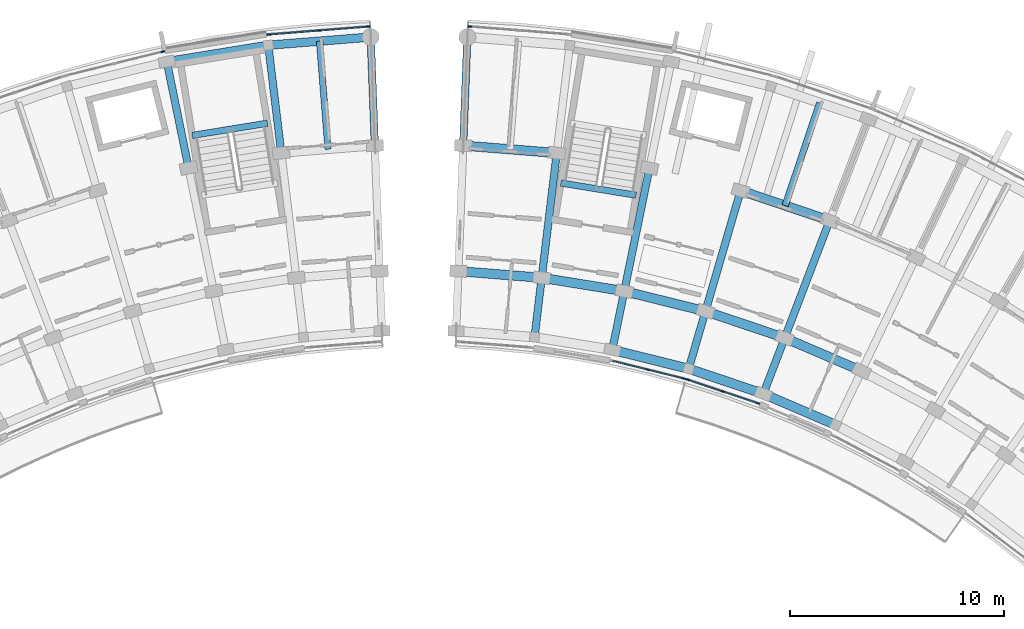
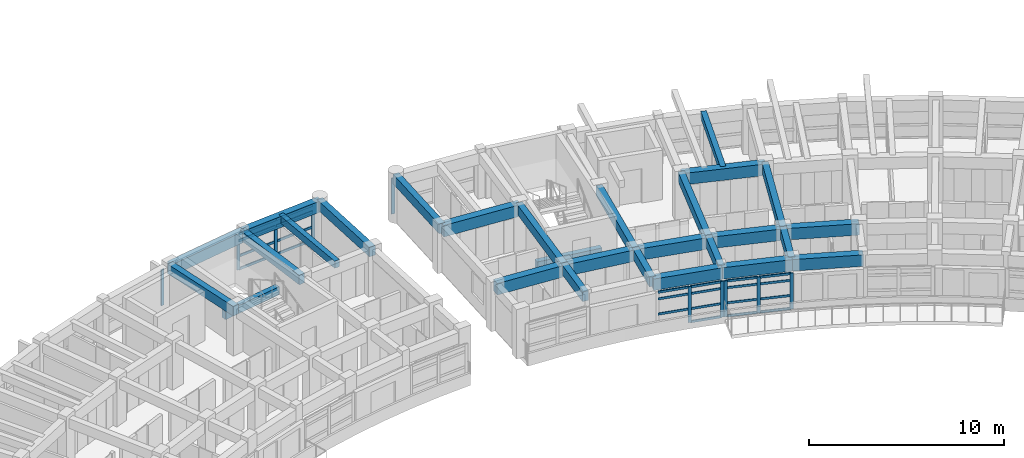
# One storey, part 7 of 56: 33 members, 28 beams, 5 elements without a shape of their own.
"""IFC4 building model written with IfcOpenShell, lengths in metres."""

from ifc_helpers import new_model, si_unit, direction, frame, origin, origin_2d, place, context, subcontext, project, spatial, rectangle, extrude, material, material_profile, profile_set, type_object, element, aggregate, save


model = new_model("IFC4")

# Units and contexts
model_context = context("Model", 3, precision=1e-05, world=origin(), true_north=direction((0.0, 1.0)))
body_context = subcontext(model_context, "Body", "Model", "MODEL_VIEW")
ifc_project = project(units=[si_unit("LENGTHUNIT", "METRE"), si_unit("AREAUNIT", "SQUARE_METRE"), si_unit("VOLUMEUNIT", "CUBIC_METRE"), si_unit("PLANEANGLEUNIT", "RADIAN"), si_unit("MASSUNIT", "GRAM", prefix="KILO")], contexts=[model_context])

# Site, building, storey
site_placement = place(None, origin())
site = spatial("IfcSite", under=ifc_project, at=site_placement, CompositionType="ELEMENT")
building_placement = place(site_placement, origin())
building = spatial("IfcBuilding", under=site, at=building_placement, Name="Zimvara Arc Housing Community", CompositionType="ELEMENT")
storey_placement = place(building_placement, frame((0.0, 0.0, 17.39990234375)))
storey = spatial("IfcBuildingStorey", under=building, at=storey_placement, Name="L05", CompositionType="ELEMENT", Elevation=17.39990234375)

# Beams
ifc_material_1 = material(Name="Concrete C40/50", Category="concrete")
ifc_material_profile_1 = material_profile(ifc_material_1, rectangle(XDim=0.300048828125, YDim=0.449951171875, at=origin_2d()), Name="RC 300x450")
ifc_profile_set_1 = profile_set([ifc_material_profile_1], Name="Concrete C40/50")
beam_type_1 = type_object("IfcBeamType", Name="BM-RC-300x450", PredefinedType="JOIST", material=ifc_profile_set_1)
for number, where, z_axis, x_axis, name in (
    (1, (40.7451171875, 98.08642578125, 2.64501953125), (-0.079171686291, 0.99686099537, 0.0), (-0.99686099537, -0.079171686291, 0.0), "bm:blkA:L05:joist:b9"),
    (2, (62.1279296875, 95.453369140625, 2.64501953125), (0.318607669836, 0.947886677152, 0.0), (-0.947886677152, 0.318607669836, 0.0), "bm:blkB:L05:joist:b3"),
):
    element("IfcBeam", number, at=place(storey_placement, frame(where, z_axis=z_axis, x_axis=x_axis)), inside=storey, type_object=beam_type_1, Name=name, PredefinedType="JOIST", context=body_context, shape_type="SweptSolid", body=[
        extrude(rectangle(XDim=0.300048828125, YDim=0.449951171875, at=origin_2d()), origin(), (0.0, 0.0, 1.0), 5.07568359375),
    ])
ifc_material_2 = material(Name="Concrete C40/50", Category="concrete")
ifc_material_profile_2 = material_profile(ifc_material_2, rectangle(XDim=0.300048828125, YDim=0.5, at=origin_2d()), Name="RC 300x500")
ifc_profile_set_2 = profile_set([ifc_material_profile_2], Name="Concrete C40/50")
beam_type_2 = type_object("IfcBeamType", Name="BM-RC-300x500", PredefinedType="BEAM", material=ifc_profile_set_2)
for number, where, z_axis, x_axis, name in (
    (3, (37.911865234375, 99.307373046875, 1.300048828125), (-0.987080057935, -0.160227835371, 0.0), (0.160227835371, -0.987080057935, 0.0), "bm:stair_trim:ST-A2:L05:mid"),
    (4, (55.15771484375, 95.93701171875, -0.25), (-0.987080057935, 0.160227835371, 0.0), (-0.160227835371, -0.987080057935, 0.0), "bm:stair_trim:ST-B1:L05:near"),
):
    element("IfcBeam", number, at=place(storey_placement, frame(where, z_axis=z_axis, x_axis=x_axis)), inside=storey, type_object=beam_type_2, Name=name, PredefinedType="BEAM", context=body_context, shape_type="SweptSolid", body=[
        extrude(rectangle(XDim=0.300048828125, YDim=0.5, at=origin_2d()), origin(), (0.0, 0.0, 1.0), 3.570068359375),
    ])
ifc_material_3 = material(Name="Concrete C40/50", Category="concrete")
ifc_material_profile_3 = material_profile(ifc_material_3, rectangle(XDim=0.35009765625, YDim=0.60009765625, at=origin_2d()), Name="RC 350x600")
ifc_profile_set_3 = profile_set([ifc_material_profile_3], Name="Concrete C40/50")
beam_type_3 = type_object("IfcBeamType", Name="BM-RC-350x600", PredefinedType="BEAM", material=ifc_profile_set_3)
beam_1_placement = place(storey_placement, frame((34.21875, 97.208740234375, 2.570068359375), z_axis=(-0.200411962389, 0.97971171542, 0.0), x_axis=(-0.97971171542, -0.200411962389, 0.0)))
element("IfcBeam", 5, at=beam_1_placement, inside=storey, type_object=beam_type_3, Name="bm:blkA:L05:rad:b8:r23", PredefinedType="BEAM", context=body_context, shape_type="SweptSolid", body=[
    extrude(rectangle(XDim=0.35009765625, YDim=0.60009765625, at=origin_2d()), origin(), (0.0, 0.0, 1.0), 5.079833984375),
])
for number, where, z_axis, x_axis, name in (
    (6, (38.55517578125, 97.91259765625, 2.570068359375), (-0.119762990499, 0.99280251113, 0.0), (-0.99280251113, -0.119762990499, 0.0), "bm:blkA:L05:rad:b9:r23"),
    (7, (42.934814453125, 98.26025390625, 2.570068359375), (-0.038398054907, 0.999262522753, 0.0), (-0.999262522753, -0.038398054907, 0.0), "bm:blkA:L05:rad:b10:r23"),
    (8, (47.065185546875, 98.26025390625, 2.570068359375), (0.038398054907, 0.999262522753, 0.0), (-0.999262522753, 0.038398054907, 0.0), "bm:blkB:L05:rad:b0:r23"),
):
    element("IfcBeam", number, at=place(storey_placement, frame(where, z_axis=z_axis, x_axis=x_axis)), inside=storey, type_object=beam_type_3, Name=name, PredefinedType="BEAM", context=body_context, shape_type="SweptSolid", body=[
        extrude(rectangle(XDim=0.35009765625, YDim=0.60009765625, at=origin_2d()), origin(), (0.0, 0.0, 1.0), 5.080078125),
    ])
beam_2_placement = place(storey_placement, frame((50.405029296875, 89.295166015625, 2.570068359375), z_axis=(0.119719398078, 0.992807768767, 0.0), x_axis=(-0.992807768767, 0.119719398078, 0.0)))
element("IfcBeam", 9, at=beam_2_placement, inside=storey, type_object=beam_type_3, Name="bm:blkB:L05:rad:b1:r01", PredefinedType="BEAM", context=body_context, shape_type="SweptSolid", body=[
    extrude(rectangle(XDim=0.35009765625, YDim=0.60009765625, at=origin_2d()), origin(), (0.0, 0.0, 1.0), 2.7998046875),
])
beam_3_placement = place(storey_placement, frame((50.740234375, 92.074951171875, 2.570068359375), z_axis=(0.119827921695, 0.992794676246, 0.0), x_axis=(-0.992794676246, 0.119827921695, 0.0)))
element("IfcBeam", 10, at=beam_3_placement, inside=storey, type_object=beam_type_3, Name="bm:blkB:L05:rad:b1:r12", PredefinedType="BEAM", context=body_context, shape_type="SweptSolid", body=[
    extrude(rectangle(XDim=0.35009765625, YDim=0.60009765625, at=origin_2d()), origin(), (0.0, 0.0, 1.0), 5.880126953125),
])
beam_4_placement = place(storey_placement, frame((54.041748046875, 88.704833984375, 2.570068359375), z_axis=(0.20037341071, 0.979719600845, 0.0), x_axis=(-0.979719600845, 0.20037341071, 0.0)))
element("IfcBeam", 11, at=beam_4_placement, inside=storey, type_object=beam_type_3, Name="bm:blkB:L05:rad:b2:r01", PredefinedType="BEAM", context=body_context, shape_type="SweptSolid", body=[
    extrude(rectangle(XDim=0.35009765625, YDim=0.60009765625, at=origin_2d()), origin(), (0.0, 0.0, 1.0), 2.800048828125),
])
beam_5_placement = place(storey_placement, frame((54.602783203125, 91.447998046875, 2.570068359375), z_axis=(0.200417973989, 0.979710485655, 0.0), x_axis=(-0.979710485655, 0.200417973989, 0.0)))
element("IfcBeam", 12, at=beam_5_placement, inside=storey, type_object=beam_type_3, Name="bm:blkB:L05:rad:b2:r12", PredefinedType="BEAM", context=body_context, shape_type="SweptSolid", body=[
    extrude(rectangle(XDim=0.35009765625, YDim=0.60009765625, at=origin_2d()), origin(), (0.0, 0.0, 1.0), 5.880126953125),
])
beam_6_placement = place(storey_placement, frame((57.618408203125, 87.819580078125, 2.570068359375), z_axis=(0.279635015525, 0.960106378529, 0.0), x_axis=(-0.960106378529, 0.279635015525, 0.0)))
element("IfcBeam", 13, at=beam_6_placement, inside=storey, type_object=beam_type_3, Name="bm:blkB:L05:rad:b3:r01", PredefinedType="BEAM", context=body_context, shape_type="SweptSolid", body=[
    extrude(rectangle(XDim=0.35009765625, YDim=0.60009765625, at=origin_2d()), origin(), (0.0, 0.0, 1.0), 2.800048828125),
])
beam_7_placement = place(storey_placement, frame((58.4013671875, 90.5078125, 2.570068359375), z_axis=(0.27967473749, 0.960094808449, 0.0), x_axis=(-0.960094808449, 0.27967473749, 0.0)))
element("IfcBeam", 14, at=beam_7_placement, inside=storey, type_object=beam_type_3, Name="bm:blkB:L05:rad:b3:r12", PredefinedType="BEAM", context=body_context, shape_type="SweptSolid", body=[
    extrude(rectangle(XDim=0.35009765625, YDim=0.60009765625, at=origin_2d()), origin(), (0.0, 0.0, 1.0), 5.880126953125),
])
beam_8_placement = place(storey_placement, frame((61.11083984375, 86.645751953125, 2.570068359375), z_axis=(0.357079289134, 0.934074076972, 0.0), x_axis=(-0.934074076972, 0.357079289134, 0.0)))
element("IfcBeam", 15, at=beam_8_placement, inside=storey, type_object=beam_type_3, Name="bm:blkB:L05:rad:b4:r01", PredefinedType="BEAM", context=body_context, shape_type="SweptSolid", body=[
    extrude(rectangle(XDim=0.35009765625, YDim=0.60009765625, at=origin_2d()), origin(), (0.0, 0.0, 1.0), 2.7998046875),
])
beam_9_placement = place(storey_placement, frame((62.110595703125, 89.260986328125, 2.570068359375), z_axis=(0.357036247742, 0.934090529766, 0.0), x_axis=(-0.934090529766, 0.357036247742, 0.0)))
element("IfcBeam", 16, at=beam_9_placement, inside=storey, type_object=beam_type_3, Name="bm:blkB:L05:rad:b4:r12", PredefinedType="BEAM", context=body_context, shape_type="SweptSolid", body=[
    extrude(rectangle(XDim=0.35009765625, YDim=0.60009765625, at=origin_2d()), origin(), (0.0, 0.0, 1.0), 5.8798828125),
])
ifc_material_4 = material(Name="Concrete C40/50", Category="concrete")
ifc_material_profile_4 = material_profile(ifc_material_4, rectangle(XDim=0.39990234375, YDim=0.699951171875, at=origin_2d()), Name="RC 400x700")
ifc_profile_set_4 = profile_set([ifc_material_profile_4], Name="Concrete C40/50")
beam_type_4 = type_object("IfcBeamType", Name="BM-RC-400x700", PredefinedType="BEAM", material=ifc_profile_set_4)
beam_10_placement = place(storey_placement, frame((33.20068359375, 102.185546875, 2.52001953125), z_axis=(0.987076839731, 0.160247659784, 0.0), x_axis=(-0.160247659784, 0.987076839731, 0.0)))
element("IfcBeam", 17, at=beam_10_placement, inside=storey, type_object=beam_type_4, Name="bm:blkA:L05:chord:r3:b8", PredefinedType="BEAM", context=body_context, shape_type="SweptSolid", body=[
    extrude(rectangle(XDim=0.39990234375, YDim=0.699951171875, at=origin_2d()), origin(), (0.0, 0.0, 1.0), 4.808349609375),
])
beam_11_placement = place(storey_placement, frame((37.94677734375, 102.9560546875, 2.52001953125), z_axis=(0.996861768207, 0.0791619548, 0.0), x_axis=(-0.0791619548, 0.996861768207, 0.0)))
element("IfcBeam", 18, at=beam_11_placement, inside=storey, type_object=beam_type_4, Name="bm:blkA:L05:chord:r3:b9", PredefinedType="BEAM", context=body_context, shape_type="SweptSolid", body=[
    extrude(rectangle(XDim=0.39990234375, YDim=0.699951171875, at=origin_2d()), origin(), (0.0, 0.0, 1.0), 4.80810546875),
])
ifc_material_5 = material(Name="Concrete C40/50", Category="concrete")
ifc_material_profile_5 = material_profile(ifc_material_5, rectangle(XDim=0.43994140625, YDim=0.719970703125, at=origin_2d()), Name="RC 440x720")
ifc_profile_set_5 = profile_set([ifc_material_profile_5], Name="Concrete C40/50")
beam_type_5 = type_object("IfcBeamType", Name="BM-RC-440x720", PredefinedType="BEAM", material=ifc_profile_set_5)
beam_12_placement = place(storey_placement, frame((54.041748046875, 88.704833984375, 2.510009765625), z_axis=(0.970708886215, -0.240258731837, 0.0), x_axis=(0.240258731837, 0.970708886215, 0.0)))
element("IfcBeam", 19, at=beam_12_placement, inside=storey, type_object=beam_type_5, Name="bm:blkB:L05:chord:r0:b2", PredefinedType="BEAM", context=body_context, shape_type="SweptSolid", body=[
    extrude(rectangle(XDim=0.43994140625, YDim=0.719970703125, at=origin_2d()), origin(), (0.0, 0.0, 1.0), 3.6845703125),
])
for number, where, z_axis, x_axis, name in (
    (20, (57.618408203125, 87.819580078125, 2.510009765625), (0.94789181932, -0.31859237101, 0.0), (0.31859237101, 0.94789181932, 0.0), "bm:blkB:L05:chord:r0:b3"),
    (21, (61.11083984375, 86.645751953125, 2.510009765625), (0.918705736243, -0.394942742932, 0.0), (0.394942742932, 0.918705736243, 0.0), "bm:blkB:L05:chord:r0:b4"),
):
    element("IfcBeam", number, at=place(storey_placement, frame(where, z_axis=z_axis, x_axis=x_axis)), inside=storey, type_object=beam_type_5, Name=name, PredefinedType="BEAM", context=body_context, shape_type="SweptSolid", body=[
        extrude(rectangle(XDim=0.43994140625, YDim=0.719970703125, at=origin_2d()), origin(), (0.0, 0.0, 1.0), 3.684326171875),
    ])
beam_13_placement = place(storey_placement, frame((46.839599609375, 92.384765625, 2.510009765625), z_axis=(0.99686054795, -0.079177319606, 0.0), x_axis=(0.079177319606, 0.99686054795, 0.0)))
element("IfcBeam", 22, at=beam_13_placement, inside=storey, type_object=beam_type_5, Name="bm:blkB:L05:chord:r1:b0", PredefinedType="BEAM", context=body_context, shape_type="SweptSolid", body=[
    extrude(rectangle(XDim=0.43994140625, YDim=0.719970703125, at=origin_2d()), origin(), (0.0, 0.0, 1.0), 3.912841796875),
])
for number, where, z_axis, x_axis, name in (
    (23, (50.740234375, 92.074951171875, 2.510009765625), (0.987081487371, -0.160219029111, 0.0), (0.160219029111, 0.987081487371, 0.0), "bm:blkB:L05:chord:r1:b1"),
    (24, (54.602783203125, 91.447998046875, 2.510009765625), (0.970708671682, -0.240259598602, 0.0), (0.240259598602, 0.970708671682, 0.0), "bm:blkB:L05:chord:r1:b2"),
    (25, (58.4013671875, 90.5078125, 2.510009765625), (0.947881689069, -0.31862250945, 0.0), (0.31862250945, 0.947881689069, 0.0), "bm:blkB:L05:chord:r1:b3"),
    (26, (62.110595703125, 89.260986328125, 2.510009765625), (0.91873144242, -0.394882940514, 0.0), (0.394882940514, 0.91873144242, 0.0), "bm:blkB:L05:chord:r1:b4"),
):
    element("IfcBeam", number, at=place(storey_placement, frame(where, z_axis=z_axis, x_axis=x_axis)), inside=storey, type_object=beam_type_5, Name=name, PredefinedType="BEAM", context=body_context, shape_type="SweptSolid", body=[
        extrude(rectangle(XDim=0.43994140625, YDim=0.719970703125, at=origin_2d()), origin(), (0.0, 0.0, 1.0), 3.9130859375),
    ])
beam_14_placement = place(storey_placement, frame((47.065185546875, 98.26025390625, 2.510009765625), z_axis=(0.996864209836, -0.079131202119, 0.0), x_axis=(0.079131202119, 0.996864209836, 0.0)))
element("IfcBeam", 27, at=beam_14_placement, inside=storey, type_object=beam_type_5, Name="bm:blkB:L05:chord:r2:b0", PredefinedType="BEAM", context=body_context, shape_type="SweptSolid", body=[
    extrude(rectangle(XDim=0.43994140625, YDim=0.719970703125, at=origin_2d()), origin(), (0.0, 0.0, 1.0), 4.393310546875),
])
beam_15_placement = place(storey_placement, frame((60.0458984375, 96.1533203125, 2.510009765625), z_axis=(0.947868796036, -0.318660862832, 0.0), x_axis=(0.318660862832, 0.947868796036, 0.0)))
element("IfcBeam", 28, at=beam_15_placement, inside=storey, type_object=beam_type_5, Name="bm:blkB:L05:chord:r2:b3", PredefinedType="BEAM", context=body_context, shape_type="SweptSolid", body=[
    extrude(rectangle(XDim=0.43994140625, YDim=0.719970703125, at=origin_2d()), origin(), (0.0, 0.0, 1.0), 4.39306640625),
])

# Curtain wall, members
ifc_material_6 = material(Name="Anodised Aluminium AW-6063", Category="aluminium")
curtain_wall_type_1 = type_object("IfcCurtainWallType", Name="CW-SYS-06", PredefinedType="USERDEFINED", material=ifc_material_6)
curtain_wall_1_placement = place(storey_placement, origin())
curtain_wall_1 = element("IfcCurtainWall", 29, at=curtain_wall_1_placement, inside=storey, type_object=curtain_wall_type_1, Name="cw:blkB:L05:in:b2", ObjectType="CURTAIN WALL", PredefinedType="USERDEFINED")
ifc_material_7 = material(Name="Anodised Aluminium AW-6063", Category="aluminium")
ifc_material_profile_6 = material_profile(ifc_material_7, rectangle(XDim=0.06494140625, YDim=0.179931640625, at=origin_2d()), Name="ALU 65x180")
ifc_profile_set_6 = profile_set([ifc_material_profile_6], Name="Anodised Aluminium AW-6063")
member_type_1 = type_object("IfcMemberType", Name="CWM-65x150", PredefinedType="MULLION", material=ifc_profile_set_6)
member_1_placement = place(storey_placement, frame((55.7099609375, 87.77734375, 0.0), z_axis=(0.0, 0.0, 1.0), x_axis=(0.240227815706, 0.970716537698, 0.0)))
member_1 = element("IfcMember", 30, at=member_1_placement, type_object=member_type_1, Name="CW06 mullion 2", PredefinedType="MULLION", context=body_context, shape_type="SweptSolid", body=[
    extrude(rectangle(XDim=0.06494140625, YDim=0.179931640625, at=origin_2d()), origin(), (0.0, 0.0, 1.0), 2.25),
])
member_2_placement = place(storey_placement, frame((57.388671875, 87.36181640625, 0.0), z_axis=(0.0, 0.0, 1.0), x_axis=(0.240227815706, 0.970716537698, 0.0)))
member_2 = element("IfcMember", 31, at=member_2_placement, type_object=member_type_1, Name="CW06 mullion 3", PredefinedType="MULLION", context=body_context, shape_type="SweptSolid", body=[
    extrude(rectangle(XDim=0.06494140625, YDim=0.179931640625, at=origin_2d()), origin(), (0.0, 0.0, 1.0), 2.25),
])

ifc_material_8 = material(Name="Anodised Aluminium AW-6063", Category="aluminium")
curtain_wall_type_2 = type_object("IfcCurtainWallType", Name="CW-SYS-08", PredefinedType="USERDEFINED", material=ifc_material_8)
curtain_wall_2_placement = place(storey_placement, origin())
curtain_wall_2 = element("IfcCurtainWall", 32, at=curtain_wall_2_placement, inside=storey, type_object=curtain_wall_type_2, Name="cw:blkB:L05:in:b3", ObjectType="CURTAIN WALL", PredefinedType="USERDEFINED")
member_3_placement = place(storey_placement, frame((57.566162109375, 87.31005859375, 0.0), z_axis=(0.0, 0.0, 1.0), x_axis=(0.318630249383, 0.94787908732, 0.0)))
member_3 = element("IfcMember", 33, at=member_3_placement, type_object=member_type_1, Name="CW08 mullion 1", PredefinedType="MULLION", context=body_context, shape_type="SweptSolid", body=[
    extrude(rectangle(XDim=0.06494140625, YDim=0.179931640625, at=origin_2d()), origin(), (0.0, 0.0, 1.0), 2.25),
])
member_4_placement = place(storey_placement, frame((59.205322265625, 86.759033203125, 0.0), z_axis=(0.0, 0.0, 1.0), x_axis=(0.318630249383, 0.94787908732, 0.0)))
member_4 = element("IfcMember", 34, at=member_4_placement, type_object=member_type_1, Name="CW08 mullion 2", PredefinedType="MULLION", context=body_context, shape_type="SweptSolid", body=[
    extrude(rectangle(XDim=0.06494140625, YDim=0.179931640625, at=origin_2d()), origin(), (0.0, 0.0, 1.0), 2.25),
])
member_5_placement = place(storey_placement, frame((60.844482421875, 86.2080078125, 0.0), z_axis=(0.0, 0.0, 1.0), x_axis=(0.318630249383, 0.94787908732, 0.0)))
member_5 = element("IfcMember", 35, at=member_5_placement, type_object=member_type_1, Name="CW08 mullion 3", PredefinedType="MULLION", context=body_context, shape_type="SweptSolid", body=[
    extrude(rectangle(XDim=0.06494140625, YDim=0.179931640625, at=origin_2d()), origin(), (0.0, 0.0, 1.0), 2.25),
])

# Curtain wall, member
ifc_material_9 = material(Name="Anodised Aluminium AW-6063", Category="aluminium")
curtain_wall_type_3 = type_object("IfcCurtainWallType", Name="CW-SYS-05", PredefinedType="USERDEFINED", material=ifc_material_9)
curtain_wall_3_placement = place(storey_placement, origin())
curtain_wall_3 = element("IfcCurtainWall", 36, at=curtain_wall_3_placement, inside=storey, type_object=curtain_wall_type_3, Name="cw:blkA:L05:out:b7", ObjectType="CURTAIN WALL", PredefinedType="USERDEFINED")
ifc_material_10 = material(Name="Anodised Aluminium AW-6063", Category="aluminium")
ifc_material_profile_7 = material_profile(ifc_material_10, rectangle(XDim=0.06494140625, YDim=0.195068359375, at=origin_2d()), Name="ALU 65x195")
ifc_profile_set_7 = profile_set([ifc_material_profile_7], Name="Anodised Aluminium AW-6063")
member_type_2 = type_object("IfcMemberType", Name="CWM-65x180", PredefinedType="MULLION", material=ifc_profile_set_7)
member_6_placement = place(storey_placement, frame((33.0107421875, 102.6533203125, 0.0), z_axis=(0.0, 0.0, 1.0), x_axis=(-0.240229711131, 0.970716068627, 0.0)))
member_6 = element("IfcMember", 37, at=member_6_placement, type_object=member_type_2, Name="CW05 mullion 3", PredefinedType="MULLION", context=body_context, shape_type="SweptSolid", body=[
    extrude(rectangle(XDim=0.06494140625, YDim=0.195068359375, at=origin_2d()), origin(), (0.0, 0.0, 1.0), 2.25),
])
aggregate(curtain_wall_3, [member_6])

# Curtain wall, members
ifc_material_11 = material(Name="Anodised Aluminium AW-6063", Category="aluminium")
curtain_wall_type_4 = type_object("IfcCurtainWallType", Name="CW-SYS-07", PredefinedType="USERDEFINED", material=ifc_material_11)
curtain_wall_4_placement = place(storey_placement, origin())
curtain_wall_4 = element("IfcCurtainWall", 38, at=curtain_wall_4_placement, inside=storey, type_object=curtain_wall_type_4, Name="cw:blkA:L05:out:b9", ObjectType="CURTAIN WALL", PredefinedType="USERDEFINED")
member_7_placement = place(storey_placement, frame((37.97900390625, 103.459716796875, 0.0), z_axis=(0.0, 0.0, 1.0), x_axis=(-0.079153759607, 0.996862418963, 0.0)))
member_7 = element("IfcMember", 39, at=member_7_placement, type_object=member_type_2, Name="CW07 mullion 1", PredefinedType="MULLION", context=body_context, shape_type="SweptSolid", body=[
    extrude(rectangle(XDim=0.06494140625, YDim=0.195068359375, at=origin_2d()), origin(), (0.0, 0.0, 1.0), 2.25),
])
member_8_placement = place(storey_placement, frame((40.3037109375, 103.644287109375, 0.0), z_axis=(0.0, 0.0, 1.0), x_axis=(-0.079153759607, 0.996862418963, 0.0)))
member_8 = element("IfcMember", 40, at=member_8_placement, type_object=member_type_2, Name="CW07 mullion 2", PredefinedType="MULLION", context=body_context, shape_type="SweptSolid", body=[
    extrude(rectangle(XDim=0.06494140625, YDim=0.195068359375, at=origin_2d()), origin(), (0.0, 0.0, 1.0), 2.25),
])
member_9_placement = place(storey_placement, frame((42.62841796875, 103.828857421875, 0.0), z_axis=(0.0, 0.0, 1.0), x_axis=(-0.079153759607, 0.996862418963, 0.0)))
member_9 = element("IfcMember", 41, at=member_9_placement, type_object=member_type_2, Name="CW07 mullion 3", PredefinedType="MULLION", context=body_context, shape_type="SweptSolid", body=[
    extrude(rectangle(XDim=0.06494140625, YDim=0.195068359375, at=origin_2d()), origin(), (0.0, 0.0, 1.0), 2.25),
])

# Curtain wall, member
ifc_material_12 = material(Name="Anodised Aluminium AW-6063", Category="aluminium")
curtain_wall_type_5 = type_object("IfcCurtainWallType", Name="CW-SYS-03", PredefinedType="USERDEFINED", material=ifc_material_12)
curtain_wall_5_placement = place(storey_placement, origin())
curtain_wall_5 = element("IfcCurtainWall", 42, at=curtain_wall_5_placement, inside=storey, type_object=curtain_wall_type_5, Name="cw:blkB:L05:out:b0", ObjectType="CURTAIN WALL", PredefinedType="USERDEFINED")
member_10_placement = place(storey_placement, frame((47.37158203125, 103.828857421875, 0.0), z_axis=(0.0, 0.0, 1.0), x_axis=(0.079153759607, 0.996862418963, 0.0)))
member_10 = element("IfcMember", 43, at=member_10_placement, type_object=member_type_2, Name="CW03 mullion 1", PredefinedType="MULLION", context=body_context, shape_type="SweptSolid", body=[
    extrude(rectangle(XDim=0.06494140625, YDim=0.195068359375, at=origin_2d()), origin(), (0.0, 0.0, 1.0), 2.25),
])
aggregate(curtain_wall_5, [member_10])

# Member
ifc_material_13 = material(Name="Anodised Aluminium AW-6063", Category="aluminium")
ifc_material_profile_8 = material_profile(ifc_material_13, rectangle(XDim=0.06494140625, YDim=0.139892578125, at=origin_2d()), Name="ALU 65x140")
ifc_profile_set_8 = profile_set([ifc_material_profile_8], Name="Anodised Aluminium AW-6063")
member_type_3 = type_object("IfcMemberType", Name="CWT-65x120", PredefinedType="USERDEFINED", material=ifc_profile_set_8)
member_11_placement = place(storey_placement, frame((54.06298828125, 88.184814453125, 0.85009765625), z_axis=(0.970735018799, -0.240153124645, 0.0), x_axis=(0.240153124645, 0.970735018799, 0.0)))
member_11 = element("IfcMember", 44, at=member_11_placement, type_object=member_type_3, Name="CW06 transom 1.2", ObjectType="TRANSOM", PredefinedType="USERDEFINED", context=body_context, shape_type="SweptSolid", body=[
    extrude(rectangle(XDim=0.06494140625, YDim=0.139892578125, at=origin_2d()), origin(), (0.0, 0.0, 1.0), 1.6640625),
])

member_12_placement = place(storey_placement, frame((54.06298828125, 88.184814453125, 1.800048828125), z_axis=(0.970735018799, -0.240153124645, 0.0), x_axis=(0.240153124645, 0.970735018799, 0.0)))
member_12 = element("IfcMember", 45, at=member_12_placement, type_object=member_type_3, Name="CW06 transom 1.3", ObjectType="TRANSOM", PredefinedType="USERDEFINED", context=body_context, shape_type="SweptSolid", body=[
    extrude(rectangle(XDim=0.06494140625, YDim=0.139892578125, at=origin_2d()), origin(), (0.0, 0.0, 1.0), 1.6640625),
])

member_13_placement = place(storey_placement, frame((54.06298828125, 88.184814453125, 2.217529296875), z_axis=(0.970735018799, -0.240153124645, 0.0), x_axis=(0.240153124645, 0.970735018799, 0.0)))
member_13 = element("IfcMember", 46, at=member_13_placement, type_object=member_type_3, Name="CW06 transom 1.4", ObjectType="TRANSOM", PredefinedType="USERDEFINED", context=body_context, shape_type="SweptSolid", body=[
    extrude(rectangle(XDim=0.06494140625, YDim=0.139892578125, at=origin_2d()), origin(), (0.0, 0.0, 1.0), 1.6640625),
])

member_14_placement = place(storey_placement, frame((55.74169921875, 87.76953125, 0.03271484375), z_axis=(0.970700809973, -0.24029135964, 0.0), x_axis=(0.24029135964, 0.970700809973, 0.0)))
member_14 = element("IfcMember", 47, at=member_14_placement, type_object=member_type_3, Name="CW06 transom 2.1", ObjectType="TRANSOM", PredefinedType="USERDEFINED", context=body_context, shape_type="SweptSolid", body=[
    extrude(rectangle(XDim=0.06494140625, YDim=0.139892578125, at=origin_2d()), origin(), (0.0, 0.0, 1.0), 1.664306640625),
])

member_15_placement = place(storey_placement, frame((55.74169921875, 87.76953125, 0.85009765625), z_axis=(0.970700809973, -0.24029135964, 0.0), x_axis=(0.24029135964, 0.970700809973, 0.0)))
member_15 = element("IfcMember", 48, at=member_15_placement, type_object=member_type_3, Name="CW06 transom 2.2", ObjectType="TRANSOM", PredefinedType="USERDEFINED", context=body_context, shape_type="SweptSolid", body=[
    extrude(rectangle(XDim=0.06494140625, YDim=0.139892578125, at=origin_2d()), origin(), (0.0, 0.0, 1.0), 1.664306640625),
])

member_16_placement = place(storey_placement, frame((55.74169921875, 87.76953125, 1.800048828125), z_axis=(0.970700809973, -0.24029135964, 0.0), x_axis=(0.24029135964, 0.970700809973, 0.0)))
member_16 = element("IfcMember", 49, at=member_16_placement, type_object=member_type_3, Name="CW06 transom 2.3", ObjectType="TRANSOM", PredefinedType="USERDEFINED", context=body_context, shape_type="SweptSolid", body=[
    extrude(rectangle(XDim=0.06494140625, YDim=0.139892578125, at=origin_2d()), origin(), (0.0, 0.0, 1.0), 1.664306640625),
])

member_17_placement = place(storey_placement, frame((55.74169921875, 87.76953125, 2.217529296875), z_axis=(0.970700809973, -0.24029135964, 0.0), x_axis=(0.24029135964, 0.970700809973, 0.0)))
member_17 = element("IfcMember", 50, at=member_17_placement, type_object=member_type_3, Name="CW06 transom 2.4", ObjectType="TRANSOM", PredefinedType="USERDEFINED", context=body_context, shape_type="SweptSolid", body=[
    extrude(rectangle(XDim=0.06494140625, YDim=0.139892578125, at=origin_2d()), origin(), (0.0, 0.0, 1.0), 1.664306640625),
])

aggregate(curtain_wall_1, [member_1, member_2, member_11, member_12, member_13, member_14, member_15, member_16, member_17])

member_18_placement = place(storey_placement, frame((57.596923828125, 87.2998046875, 0.03271484375), z_axis=(0.947888214723, -0.318603095385, 0.0), x_axis=(0.318603095385, 0.947888214723, 0.0)))
member_18 = element("IfcMember", 51, at=member_18_placement, type_object=member_type_3, Name="CW08 transom 1.1", ObjectType="TRANSOM", PredefinedType="USERDEFINED", context=body_context, shape_type="SweptSolid", body=[
    extrude(rectangle(XDim=0.06494140625, YDim=0.139892578125, at=origin_2d()), origin(), (0.0, 0.0, 1.0), 1.664306640625),
])

member_19_placement = place(storey_placement, frame((57.596923828125, 87.2998046875, 0.85009765625), z_axis=(0.947888214723, -0.318603095385, 0.0), x_axis=(0.318603095385, 0.947888214723, 0.0)))
member_19 = element("IfcMember", 52, at=member_19_placement, type_object=member_type_3, Name="CW08 transom 1.2", ObjectType="TRANSOM", PredefinedType="USERDEFINED", context=body_context, shape_type="SweptSolid", body=[
    extrude(rectangle(XDim=0.06494140625, YDim=0.139892578125, at=origin_2d()), origin(), (0.0, 0.0, 1.0), 1.664306640625),
])

member_20_placement = place(storey_placement, frame((57.596923828125, 87.2998046875, 1.800048828125), z_axis=(0.947888214723, -0.318603095385, 0.0), x_axis=(0.318603095385, 0.947888214723, 0.0)))
member_20 = element("IfcMember", 53, at=member_20_placement, type_object=member_type_3, Name="CW08 transom 1.3", ObjectType="TRANSOM", PredefinedType="USERDEFINED", context=body_context, shape_type="SweptSolid", body=[
    extrude(rectangle(XDim=0.06494140625, YDim=0.139892578125, at=origin_2d()), origin(), (0.0, 0.0, 1.0), 1.664306640625),
])

member_21_placement = place(storey_placement, frame((57.596923828125, 87.2998046875, 2.217529296875), z_axis=(0.947888214723, -0.318603095385, 0.0), x_axis=(0.318603095385, 0.947888214723, 0.0)))
member_21 = element("IfcMember", 54, at=member_21_placement, type_object=member_type_3, Name="CW08 transom 1.4", ObjectType="TRANSOM", PredefinedType="USERDEFINED", context=body_context, shape_type="SweptSolid", body=[
    extrude(rectangle(XDim=0.06494140625, YDim=0.139892578125, at=origin_2d()), origin(), (0.0, 0.0, 1.0), 1.664306640625),
])

member_22_placement = place(storey_placement, frame((59.236083984375, 86.748779296875, 0.03271484375), z_axis=(0.947888214723, -0.318603095385, 0.0), x_axis=(0.318603095385, 0.947888214723, 0.0)))
member_22 = element("IfcMember", 55, at=member_22_placement, type_object=member_type_3, Name="CW08 transom 2.1", ObjectType="TRANSOM", PredefinedType="USERDEFINED", context=body_context, shape_type="SweptSolid", body=[
    extrude(rectangle(XDim=0.06494140625, YDim=0.139892578125, at=origin_2d()), origin(), (0.0, 0.0, 1.0), 1.664306640625),
])

member_23_placement = place(storey_placement, frame((59.236083984375, 86.748779296875, 0.85009765625), z_axis=(0.947888214723, -0.318603095385, 0.0), x_axis=(0.318603095385, 0.947888214723, 0.0)))
member_23 = element("IfcMember", 56, at=member_23_placement, type_object=member_type_3, Name="CW08 transom 2.2", ObjectType="TRANSOM", PredefinedType="USERDEFINED", context=body_context, shape_type="SweptSolid", body=[
    extrude(rectangle(XDim=0.06494140625, YDim=0.139892578125, at=origin_2d()), origin(), (0.0, 0.0, 1.0), 1.664306640625),
])

member_24_placement = place(storey_placement, frame((59.236083984375, 86.748779296875, 1.800048828125), z_axis=(0.947888214723, -0.318603095385, 0.0), x_axis=(0.318603095385, 0.947888214723, 0.0)))
member_24 = element("IfcMember", 57, at=member_24_placement, type_object=member_type_3, Name="CW08 transom 2.3", ObjectType="TRANSOM", PredefinedType="USERDEFINED", context=body_context, shape_type="SweptSolid", body=[
    extrude(rectangle(XDim=0.06494140625, YDim=0.139892578125, at=origin_2d()), origin(), (0.0, 0.0, 1.0), 1.664306640625),
])

member_25_placement = place(storey_placement, frame((59.236083984375, 86.748779296875, 2.217529296875), z_axis=(0.947888214723, -0.318603095385, 0.0), x_axis=(0.318603095385, 0.947888214723, 0.0)))
member_25 = element("IfcMember", 58, at=member_25_placement, type_object=member_type_3, Name="CW08 transom 2.4", ObjectType="TRANSOM", PredefinedType="USERDEFINED", context=body_context, shape_type="SweptSolid", body=[
    extrude(rectangle(XDim=0.06494140625, YDim=0.139892578125, at=origin_2d()), origin(), (0.0, 0.0, 1.0), 1.664306640625),
])

aggregate(curtain_wall_2, [member_3, member_4, member_5, member_18, member_19, member_20, member_21, member_22, member_23, member_24, member_25])

ifc_material_14 = material(Name="Anodised Aluminium AW-6063", Category="aluminium")
ifc_material_profile_9 = material_profile(ifc_material_14, rectangle(XDim=0.06494140625, YDim=0.155029296875, at=origin_2d()), Name="ALU 65x155")
ifc_profile_set_9 = profile_set([ifc_material_profile_9], Name="Anodised Aluminium AW-6063")
member_type_4 = type_object("IfcMemberType", Name="CWT-65x140", PredefinedType="USERDEFINED", material=ifc_profile_set_9)
member_26_placement = place(storey_placement, frame((38.011474609375, 103.46240234375, 0.03271484375), z_axis=(0.996862021022, 0.079158771116, 0.0), x_axis=(-0.079158771116, 0.996862021022, 0.0)))
member_26 = element("IfcMember", 59, at=member_26_placement, type_object=member_type_4, Name="CW07 transom 1.1", ObjectType="TRANSOM", PredefinedType="USERDEFINED", context=body_context, shape_type="SweptSolid", body=[
    extrude(rectangle(XDim=0.06494140625, YDim=0.155029296875, at=origin_2d()), origin(), (0.0, 0.0, 1.0), 2.266845703125),
])

member_27_placement = place(storey_placement, frame((38.011474609375, 103.46240234375, 0.85009765625), z_axis=(0.996862021022, 0.079158771116, 0.0), x_axis=(-0.079158771116, 0.996862021022, 0.0)))
member_27 = element("IfcMember", 60, at=member_27_placement, type_object=member_type_4, Name="CW07 transom 1.2", ObjectType="TRANSOM", PredefinedType="USERDEFINED", context=body_context, shape_type="SweptSolid", body=[
    extrude(rectangle(XDim=0.06494140625, YDim=0.155029296875, at=origin_2d()), origin(), (0.0, 0.0, 1.0), 2.266845703125),
])

member_28_placement = place(storey_placement, frame((38.011474609375, 103.46240234375, 1.800048828125), z_axis=(0.996862021022, 0.079158771116, 0.0), x_axis=(-0.079158771116, 0.996862021022, 0.0)))
member_28 = element("IfcMember", 61, at=member_28_placement, type_object=member_type_4, Name="CW07 transom 1.3", ObjectType="TRANSOM", PredefinedType="USERDEFINED", context=body_context, shape_type="SweptSolid", body=[
    extrude(rectangle(XDim=0.06494140625, YDim=0.155029296875, at=origin_2d()), origin(), (0.0, 0.0, 1.0), 2.266845703125),
])

member_29_placement = place(storey_placement, frame((38.011474609375, 103.46240234375, 2.217529296875), z_axis=(0.996862021022, 0.079158771116, 0.0), x_axis=(-0.079158771116, 0.996862021022, 0.0)))
member_29 = element("IfcMember", 62, at=member_29_placement, type_object=member_type_4, Name="CW07 transom 1.4", ObjectType="TRANSOM", PredefinedType="USERDEFINED", context=body_context, shape_type="SweptSolid", body=[
    extrude(rectangle(XDim=0.06494140625, YDim=0.155029296875, at=origin_2d()), origin(), (0.0, 0.0, 1.0), 2.266845703125),
])

member_30_placement = place(storey_placement, frame((40.336181640625, 103.64697265625, 0.03271484375), z_axis=(0.996862021022, 0.079158771116, 0.0), x_axis=(-0.079158771116, 0.996862021022, 0.0)))
member_30 = element("IfcMember", 63, at=member_30_placement, type_object=member_type_4, Name="CW07 transom 2.1", ObjectType="TRANSOM", PredefinedType="USERDEFINED", context=body_context, shape_type="SweptSolid", body=[
    extrude(rectangle(XDim=0.06494140625, YDim=0.155029296875, at=origin_2d()), origin(), (0.0, 0.0, 1.0), 2.266845703125),
])

member_31_placement = place(storey_placement, frame((40.336181640625, 103.64697265625, 0.85009765625), z_axis=(0.996862021022, 0.079158771116, 0.0), x_axis=(-0.079158771116, 0.996862021022, 0.0)))
member_31 = element("IfcMember", 64, at=member_31_placement, type_object=member_type_4, Name="CW07 transom 2.2", ObjectType="TRANSOM", PredefinedType="USERDEFINED", context=body_context, shape_type="SweptSolid", body=[
    extrude(rectangle(XDim=0.06494140625, YDim=0.155029296875, at=origin_2d()), origin(), (0.0, 0.0, 1.0), 2.266845703125),
])

member_32_placement = place(storey_placement, frame((40.336181640625, 103.64697265625, 1.800048828125), z_axis=(0.996862021022, 0.079158771116, 0.0), x_axis=(-0.079158771116, 0.996862021022, 0.0)))
member_32 = element("IfcMember", 65, at=member_32_placement, type_object=member_type_4, Name="CW07 transom 2.3", ObjectType="TRANSOM", PredefinedType="USERDEFINED", context=body_context, shape_type="SweptSolid", body=[
    extrude(rectangle(XDim=0.06494140625, YDim=0.155029296875, at=origin_2d()), origin(), (0.0, 0.0, 1.0), 2.266845703125),
])

member_33_placement = place(storey_placement, frame((40.336181640625, 103.64697265625, 2.217529296875), z_axis=(0.996862021022, 0.079158771116, 0.0), x_axis=(-0.079158771116, 0.996862021022, 0.0)))
member_33 = element("IfcMember", 66, at=member_33_placement, type_object=member_type_4, Name="CW07 transom 2.4", ObjectType="TRANSOM", PredefinedType="USERDEFINED", context=body_context, shape_type="SweptSolid", body=[
    extrude(rectangle(XDim=0.06494140625, YDim=0.155029296875, at=origin_2d()), origin(), (0.0, 0.0, 1.0), 2.266845703125),
])

aggregate(curtain_wall_4, [member_7, member_8, member_9, member_26, member_27, member_28, member_29, member_30, member_31, member_32, member_33])

save(model, "model.ifc")
